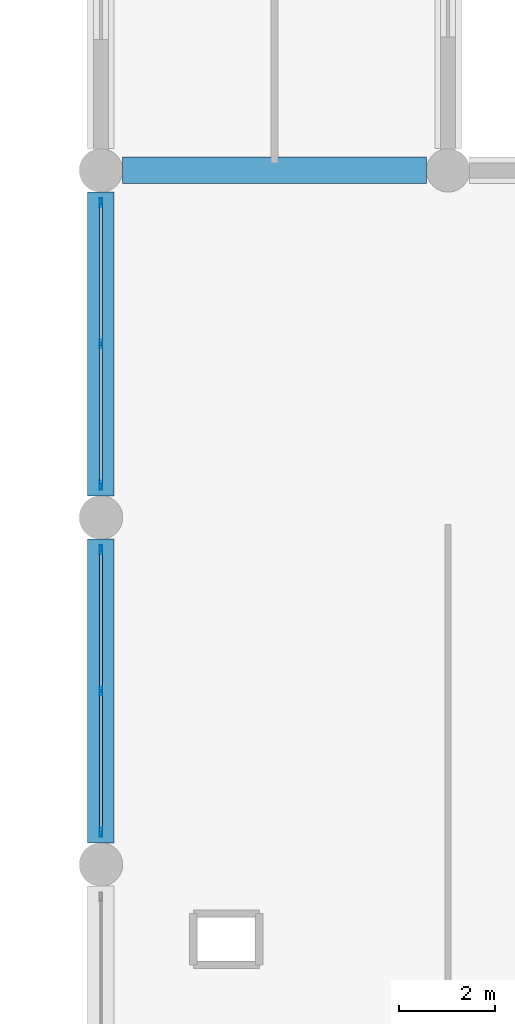
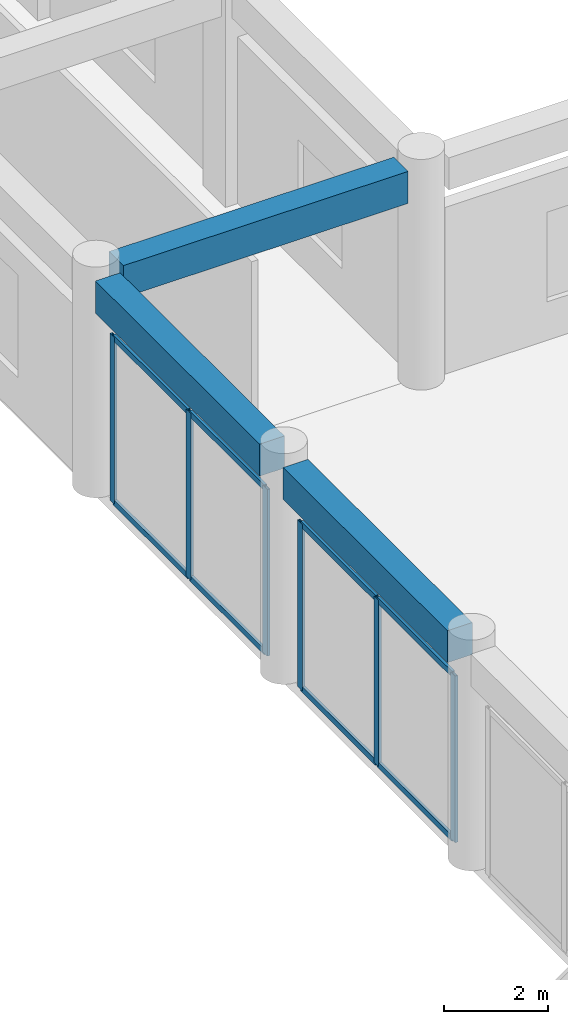
# One storey, part 7 of 56: 14 members, 3 beams, 2 elements without a shape of their own.
"""IFC4 building model written with IfcOpenShell, lengths in metres."""

from ifc_helpers import new_model, si_unit, direction, frame, origin, origin_2d, place, context, subcontext, project, spatial, rectangle, hollow_rectangle, extrude, material, material_profile, profile_set, type_object, element, aggregate, save


model = new_model("IFC4")

# Units and contexts
model_context = context("Model", 3, precision=1e-05, world=origin(), true_north=direction((0.0, 1.0)))
body_context = subcontext(model_context, "Body", "Model", "MODEL_VIEW")
ifc_project = project(units=[si_unit("LENGTHUNIT", "METRE"), si_unit("AREAUNIT", "SQUARE_METRE"), si_unit("VOLUMEUNIT", "CUBIC_METRE"), si_unit("PLANEANGLEUNIT", "RADIAN"), si_unit("MASSUNIT", "GRAM", prefix="KILO")], contexts=[model_context])

# Site, building, storey
site_placement = place(None, origin())
site = spatial("IfcSite", under=ifc_project, at=site_placement, CompositionType="ELEMENT")
building_placement = place(site_placement, origin())
building = spatial("IfcBuilding", under=site, at=building_placement, Name="Kazehaya Institute of Natural Sciences", CompositionType="ELEMENT")
storey_placement = place(building_placement, origin())
storey = spatial("IfcBuildingStorey", under=building, at=storey_placement, Name="L00", CompositionType="ELEMENT", Elevation=0.0)

# Beams
ifc_material_1 = material(Name="Concrete Fc36", Category="concrete")
ifc_material_profile_1 = material_profile(ifc_material_1, rectangle(XDim=0.550048828125, YDim=0.75, at=origin_2d()), Name="RC-550x750")
ifc_profile_set_1 = profile_set([ifc_material_profile_1], Name="Concrete Fc36")
beam_type = type_object("IfcBeamType", Name="BM-G-550x750", PredefinedType="BEAM", material=ifc_profile_set_1)
for number, where, z_axis, x_axis, name in (
    (1, (62.25, 64.39990234375, 4.7548828125), (1.0, 0.0, 0.0), (0.0, 1.0, 0.0), "L00 primary X girder BMX-L00-618-644"),
    (2, (61.800048828125, 50.449951171875, 4.7548828125), (0.0, 1.0, 0.0), (-1.0, 0.0, 0.0), "L00 primary Y girder BMY-L00-618-500"),
    (3, (61.800048828125, 57.64990234375, 4.7548828125), (0.0, 1.0, 0.0), (-1.0, 0.0, 0.0), "L00 primary Y girder BMY-L00-618-572"),
):
    element("IfcBeam", number, at=place(storey_placement, frame(where, z_axis=z_axis, x_axis=x_axis)), inside=storey, type_object=beam_type, Name=name, PredefinedType="BEAM", context=body_context, shape_type="SweptSolid", body=[
        extrude(rectangle(XDim=0.550048828125, YDim=0.75, at=origin_2d()), origin(), (0.0, 0.0, 1.0), 6.300048828125),
    ])

# Curtain wall, members
ifc_material_2 = material(Name="Aluminium alloy A6063S-T5", Category="aluminium")
curtain_wall_type = type_object("IfcCurtainWallType", Name="CW-SYS-01", PredefinedType="NOTDEFINED", material=ifc_material_2)
curtain_wall_1_placement = place(storey_placement, origin())
curtain_wall_1 = element("IfcCurtainWall", 4, at=curtain_wall_1_placement, inside=storey, type_object=curtain_wall_type, Name="L00 unitised curtain wall CW-L00-011", PredefinedType="NOTDEFINED")
ifc_material_profile_2 = material_profile(ifc_material_2, hollow_rectangle(XDim=0.06005859375, YDim=0.179931640625, WallThickness=0.00390625, at=origin_2d()), Name="ALU-60x180x4")
ifc_profile_set_2 = profile_set([ifc_material_profile_2], Name="Aluminium alloy A6063S-T5")
member_type_1 = type_object("IfcMemberType", Name="CWM-180", PredefinedType="MULLION", material=ifc_profile_set_2)
member_1_placement = place(storey_placement, frame((61.800048828125, 50.669921875, 0.0), z_axis=(0.0, 0.0, 1.0), x_axis=(-1.0, 0.0, 0.0)))
member_1 = element("IfcMember", 5, at=member_1_placement, type_object=member_type_1, Name="CW01 mullion 1", PredefinedType="MULLION", context=body_context, shape_type="SweptSolid", body=[
    extrude(hollow_rectangle(XDim=0.06005859375, YDim=0.179931640625, WallThickness=0.00390625, at=origin_2d()), origin(), (0.0, 0.0, 1.0), 3.89990234375),
])
member_2_placement = place(storey_placement, frame((61.800048828125, 53.60009765625, 0.0), z_axis=(0.0, 0.0, 1.0), x_axis=(-1.0, 0.0, 0.0)))
member_2 = element("IfcMember", 6, at=member_2_placement, type_object=member_type_1, Name="CW01 mullion 2", PredefinedType="MULLION", context=body_context, shape_type="SweptSolid", body=[
    extrude(hollow_rectangle(XDim=0.06005859375, YDim=0.179931640625, WallThickness=0.00390625, at=origin_2d()), origin(), (0.0, 0.0, 1.0), 3.89990234375),
])
member_3_placement = place(storey_placement, frame((61.800048828125, 56.530029296875, 0.0), z_axis=(0.0, 0.0, 1.0), x_axis=(-1.0, 0.0, 0.0)))
member_3 = element("IfcMember", 7, at=member_3_placement, type_object=member_type_1, Name="CW01 mullion 3", PredefinedType="MULLION", context=body_context, shape_type="SweptSolid", body=[
    extrude(hollow_rectangle(XDim=0.06005859375, YDim=0.179931640625, WallThickness=0.00390625, at=origin_2d()), origin(), (0.0, 0.0, 1.0), 3.89990234375),
])

curtain_wall_2_placement = place(storey_placement, origin())
curtain_wall_2 = element("IfcCurtainWall", 8, at=curtain_wall_2_placement, inside=storey, type_object=curtain_wall_type, Name="L00 unitised curtain wall CW-L00-013", PredefinedType="NOTDEFINED")
member_4_placement = place(storey_placement, frame((61.800048828125, 57.8701171875, 0.0), z_axis=(0.0, 0.0, 1.0), x_axis=(-1.0, 0.0, 0.0)))
member_4 = element("IfcMember", 9, at=member_4_placement, type_object=member_type_1, Name="CW01 mullion 1", PredefinedType="MULLION", context=body_context, shape_type="SweptSolid", body=[
    extrude(hollow_rectangle(XDim=0.06005859375, YDim=0.179931640625, WallThickness=0.00390625, at=origin_2d()), origin(), (0.0, 0.0, 1.0), 3.89990234375),
])
member_5_placement = place(storey_placement, frame((61.800048828125, 60.800048828125, 0.0), z_axis=(0.0, 0.0, 1.0), x_axis=(-1.0, 0.0, 0.0)))
member_5 = element("IfcMember", 10, at=member_5_placement, type_object=member_type_1, Name="CW01 mullion 2", PredefinedType="MULLION", context=body_context, shape_type="SweptSolid", body=[
    extrude(hollow_rectangle(XDim=0.06005859375, YDim=0.179931640625, WallThickness=0.00390625, at=origin_2d()), origin(), (0.0, 0.0, 1.0), 3.89990234375),
])
member_6_placement = place(storey_placement, frame((61.800048828125, 63.72998046875, 0.0), z_axis=(0.0, 0.0, 1.0), x_axis=(-1.0, 0.0, 0.0)))
member_6 = element("IfcMember", 11, at=member_6_placement, type_object=member_type_1, Name="CW01 mullion 3", PredefinedType="MULLION", context=body_context, shape_type="SweptSolid", body=[
    extrude(hollow_rectangle(XDim=0.06005859375, YDim=0.179931640625, WallThickness=0.00390625, at=origin_2d()), origin(), (0.0, 0.0, 1.0), 3.89990234375),
])

# Member
ifc_material_profile_3 = material_profile(ifc_material_2, hollow_rectangle(XDim=0.06005859375, YDim=0.139892578125, WallThickness=0.00341796875, at=origin_2d()), Name="ALU-60x140x3.5")
ifc_profile_set_3 = profile_set([ifc_material_profile_3], Name="Aluminium alloy A6063S-T5")
member_type_2 = type_object("IfcMemberType", Name="CWT-140", PredefinedType="USERDEFINED", material=ifc_profile_set_3)
member_7_placement = place(storey_placement, frame((61.800048828125, 50.699951171875, 0.030029296875), z_axis=(0.0, 1.0, 0.0), x_axis=(-1.0, 0.0, 0.0)))
member_7 = element("IfcMember", 12, at=member_7_placement, type_object=member_type_2, Name="CW01 transom 1.1", ObjectType="TRANSOM", PredefinedType="USERDEFINED", context=body_context, shape_type="SweptSolid", body=[
    extrude(hollow_rectangle(XDim=0.06005859375, YDim=0.139892578125, WallThickness=0.00341796875, at=origin_2d()), origin(), (0.0, 0.0, 1.0), 2.8701171875),
])

member_8_placement = place(storey_placement, frame((61.800048828125, 50.699951171875, 3.8701171875), z_axis=(0.0, 1.0, 0.0), x_axis=(-1.0, 0.0, 0.0)))
member_8 = element("IfcMember", 13, at=member_8_placement, type_object=member_type_2, Name="CW01 transom 1.2", ObjectType="TRANSOM", PredefinedType="USERDEFINED", context=body_context, shape_type="SweptSolid", body=[
    extrude(hollow_rectangle(XDim=0.06005859375, YDim=0.139892578125, WallThickness=0.00341796875, at=origin_2d()), origin(), (0.0, 0.0, 1.0), 2.8701171875),
])

member_9_placement = place(storey_placement, frame((61.800048828125, 53.6298828125, 0.030029296875), z_axis=(0.0, 1.0, 0.0), x_axis=(-1.0, 0.0, 0.0)))
member_9 = element("IfcMember", 14, at=member_9_placement, type_object=member_type_2, Name="CW01 transom 2.1", ObjectType="TRANSOM", PredefinedType="USERDEFINED", context=body_context, shape_type="SweptSolid", body=[
    extrude(hollow_rectangle(XDim=0.06005859375, YDim=0.139892578125, WallThickness=0.00341796875, at=origin_2d()), origin(), (0.0, 0.0, 1.0), 2.8701171875),
])

member_10_placement = place(storey_placement, frame((61.800048828125, 53.6298828125, 3.8701171875), z_axis=(0.0, 1.0, 0.0), x_axis=(-1.0, 0.0, 0.0)))
member_10 = element("IfcMember", 15, at=member_10_placement, type_object=member_type_2, Name="CW01 transom 2.2", ObjectType="TRANSOM", PredefinedType="USERDEFINED", context=body_context, shape_type="SweptSolid", body=[
    extrude(hollow_rectangle(XDim=0.06005859375, YDim=0.139892578125, WallThickness=0.00341796875, at=origin_2d()), origin(), (0.0, 0.0, 1.0), 2.8701171875),
])

aggregate(curtain_wall_1, [member_1, member_2, member_3, member_7, member_8, member_9, member_10])

member_11_placement = place(storey_placement, frame((61.800048828125, 57.89990234375, 0.030029296875), z_axis=(0.0, 1.0, 0.0), x_axis=(-1.0, 0.0, 0.0)))
member_11 = element("IfcMember", 16, at=member_11_placement, type_object=member_type_2, Name="CW01 transom 1.1", ObjectType="TRANSOM", PredefinedType="USERDEFINED", context=body_context, shape_type="SweptSolid", body=[
    extrude(hollow_rectangle(XDim=0.06005859375, YDim=0.139892578125, WallThickness=0.00341796875, at=origin_2d()), origin(), (0.0, 0.0, 1.0), 2.8701171875),
])

member_12_placement = place(storey_placement, frame((61.800048828125, 57.89990234375, 3.8701171875), z_axis=(0.0, 1.0, 0.0), x_axis=(-1.0, 0.0, 0.0)))
member_12 = element("IfcMember", 17, at=member_12_placement, type_object=member_type_2, Name="CW01 transom 1.2", ObjectType="TRANSOM", PredefinedType="USERDEFINED", context=body_context, shape_type="SweptSolid", body=[
    extrude(hollow_rectangle(XDim=0.06005859375, YDim=0.139892578125, WallThickness=0.00341796875, at=origin_2d()), origin(), (0.0, 0.0, 1.0), 2.8701171875),
])

member_13_placement = place(storey_placement, frame((61.800048828125, 60.830078125, 0.030029296875), z_axis=(0.0, 1.0, 0.0), x_axis=(-1.0, 0.0, 0.0)))
member_13 = element("IfcMember", 18, at=member_13_placement, type_object=member_type_2, Name="CW01 transom 2.1", ObjectType="TRANSOM", PredefinedType="USERDEFINED", context=body_context, shape_type="SweptSolid", body=[
    extrude(hollow_rectangle(XDim=0.06005859375, YDim=0.139892578125, WallThickness=0.00341796875, at=origin_2d()), origin(), (0.0, 0.0, 1.0), 2.869873046875),
])

member_14_placement = place(storey_placement, frame((61.800048828125, 60.830078125, 3.8701171875), z_axis=(0.0, 1.0, 0.0), x_axis=(-1.0, 0.0, 0.0)))
member_14 = element("IfcMember", 19, at=member_14_placement, type_object=member_type_2, Name="CW01 transom 2.2", ObjectType="TRANSOM", PredefinedType="USERDEFINED", context=body_context, shape_type="SweptSolid", body=[
    extrude(hollow_rectangle(XDim=0.06005859375, YDim=0.139892578125, WallThickness=0.00341796875, at=origin_2d()), origin(), (0.0, 0.0, 1.0), 2.869873046875),
])

aggregate(curtain_wall_2, [member_4, member_5, member_6, member_11, member_12, member_13, member_14])

save(model, "model.ifc")
